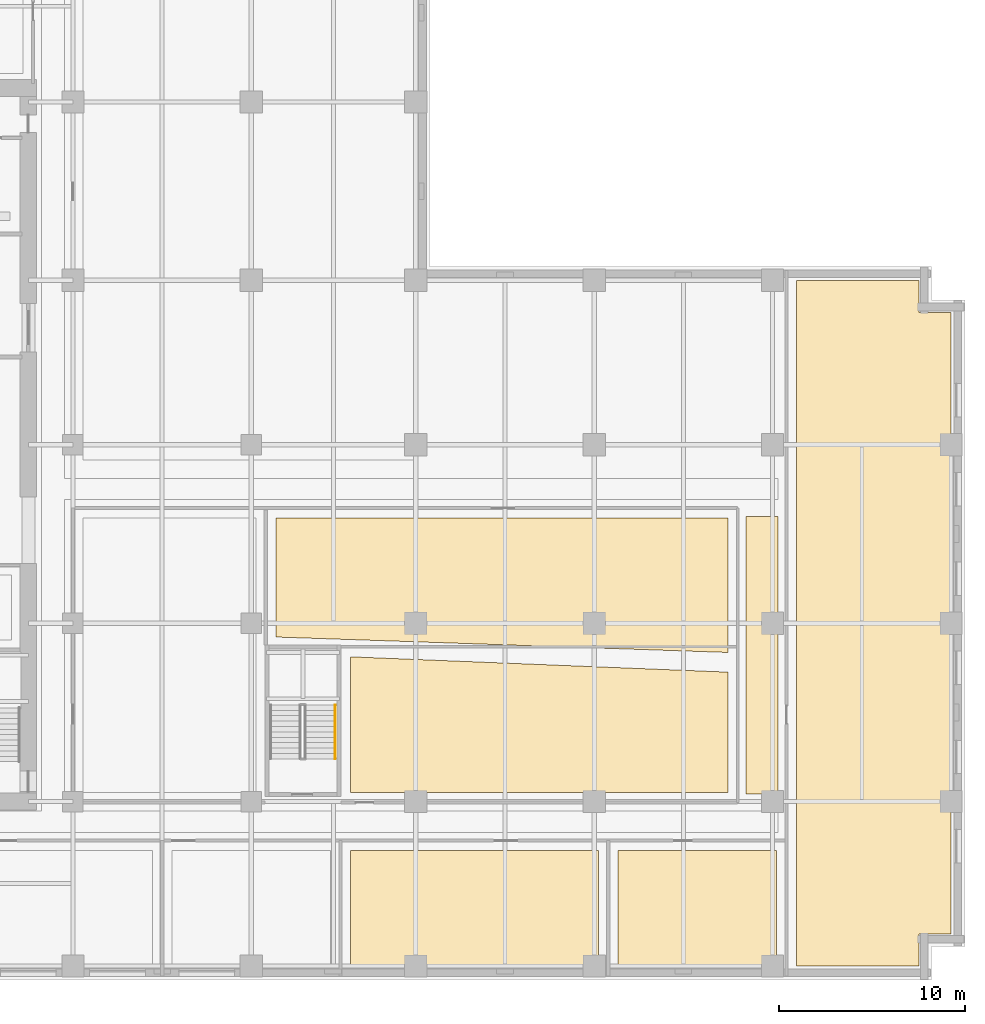
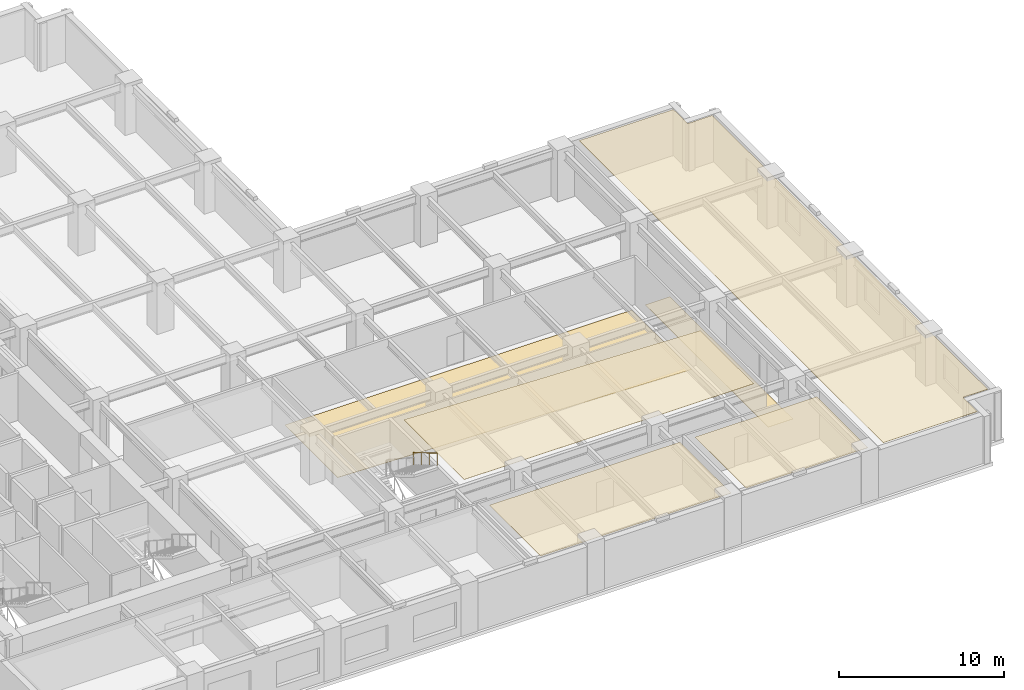
# One storey, part 10 of 13: 6 coverings, 1 railing.
"""IFC4 building model written with IfcOpenShell, lengths in metres."""

import ifcopenshell
import ifcopenshell.guid

model = None  # the IFC model being written
_history = None  # IfcOwnerHistory: only IFC2X3 demands one
_inside = {}  # id of a spatial element -> (the spatial element, [elements in it])
_under = {}  # id of a project, library or spatial element -> (it, [spatial elements below it])
_declared = {}  # id of a project -> (the project, [libraries it declares])
_typed = {}  # id of a type object -> (the type object, [elements of that type])
_made_of = {}  # id of a material, layer set ... -> (it, [elements and type objects made of it])


def new_model(schema):
    """Start an empty IFC model of exactly this schema.

    Asked for "IFC4X3", IfcOpenShell would pick the latest addendum, in which some entities
    have other attributes; the version numbers below select the first issue.
    IFC2X3 requires an IfcOwnerHistory on every rooted entity: one is made here for all.
    """
    global model, _history
    if schema == "IFC4X3":
        model = ifcopenshell.file(schema_version=(4, 3, 0, 0))
    else:
        model = ifcopenshell.file(schema=schema)
    _inside.clear()
    _under.clear()
    _declared.clear()
    _typed.clear()
    _made_of.clear()
    _history = None
    if model.schema == "IFC2X3":
        org = make("IfcOrganization", Name="unknown")
        user = make(
            "IfcPersonAndOrganization",
            ThePerson=make("IfcPerson", FamilyName="unknown"),
            TheOrganization=org,
        )
        app = make(
            "IfcApplication",
            ApplicationDeveloper=org,
            Version="unknown",
            ApplicationFullName="unknown",
            ApplicationIdentifier="unknown",
        )
        _history = make(
            "IfcOwnerHistory",
            OwningUser=user,
            OwningApplication=app,
            ChangeAction="ADDED",
            CreationDate=0,
        )
    return model


def make(cls, **values):
    """One entity of the class cls with the attributes given. An attribute that is None is left unset."""
    return model.create_entity(
        cls, **{name: value for name, value in values.items() if value is not None}
    )


def rooted(cls, **values):
    """An entity with a GlobalId (a new one), such as an element, a storey or a relation."""
    return make(cls, GlobalId=ifcopenshell.guid.new(), OwnerHistory=_history, **values)


def si_unit(unit_type, name, prefix=None):
    """IfcSIUnit, for example si_unit("LENGTHUNIT", "METRE", prefix="MILLI")."""
    return make("IfcSIUnit", UnitType=unit_type, Prefix=prefix, Name=name)


def assignment(units):
    """IfcUnitAssignment: the units of a project."""
    return None if units is None else make("IfcUnitAssignment", Units=units)


def point(xyz):
    """IfcCartesianPoint."""
    return None if xyz is None else make("IfcCartesianPoint", Coordinates=xyz)


def direction(xyz):
    """IfcDirection."""
    return None if xyz is None else make("IfcDirection", DirectionRatios=xyz)


def frame(location, z_axis=None, x_axis=None):
    """IfcAxis2Placement3D, a coordinate frame: its origin and axes. An axis left out is left unset."""
    return make(
        "IfcAxis2Placement3D",
        Location=point(location),
        Axis=direction(z_axis),
        RefDirection=direction(x_axis),
    )


def frame_2d(location, x_axis=None):
    """IfcAxis2Placement2D, a coordinate frame in the plane: its origin and x axis."""
    return make(
        "IfcAxis2Placement2D", Location=point(location), RefDirection=direction(x_axis)
    )


def origin():
    """The frame at (0, 0, 0) with its axes left unset."""
    return frame((0.0, 0.0, 0.0))


def origin_2d():
    """The frame at (0, 0) in the plane with its x axis left unset."""
    return frame_2d((0.0, 0.0))


def place(relative_to, where):
    """IfcLocalPlacement: puts the frame where relative to a parent placement (None: the world)."""
    return make(
        "IfcLocalPlacement", PlacementRelTo=relative_to, RelativePlacement=where
    )


def context(
    kind, dimensions, precision=None, world=None, true_north=None, identifier=None
):
    """IfcGeometricRepresentationContext, for example the 3D "Model" context."""
    return make(
        "IfcGeometricRepresentationContext",
        ContextIdentifier=identifier,
        ContextType=kind,
        CoordinateSpaceDimension=dimensions,
        Precision=precision,
        WorldCoordinateSystem=world,
        TrueNorth=true_north,
    )


def subcontext(parent, identifier, kind, view, scale=None):
    """IfcGeometricRepresentationSubContext, for example "Body" below "Model"."""
    return make(
        "IfcGeometricRepresentationSubContext",
        ContextIdentifier=identifier,
        ContextType=kind,
        ParentContext=parent,
        TargetScale=scale,
        TargetView=view,
    )


def project(units=None, contexts=None):
    """IfcProject with its units and contexts."""
    return rooted(
        "IfcProject",
        Name="project",
        RepresentationContexts=contexts,
        UnitsInContext=assignment(units),
    )


def spatial(cls, under=None, at=None, **own):
    """A site, building, storey or space (cls), placed at a placement, below another one or the project."""
    s = rooted(cls, ObjectPlacement=at, **own)
    if under is not None:
        _under.setdefault(under.id(), (under, []))[1].append(s)
    return s


def polyline(points):
    """IfcPolyline through the points."""
    return make("IfcPolyline", Points=[point(p) for p in points])


def profile(cls, at=None, kind="AREA", **sizes):
    """A parametric profile (cls). Its sizes go by their IFC names, for example OverallWidth=200.0."""
    return make(cls, ProfileType=kind, Position=at, **sizes)


def circle(**sizes):
    """IfcCircleProfileDef."""
    return profile("IfcCircleProfileDef", **sizes)


def outline(outer, holes=None, kind="AREA"):
    """IfcArbitraryClosedProfileDef: a profile drawn as a closed curve; with holes, ...WithVoids."""
    if holes is None:
        return make("IfcArbitraryClosedProfileDef", ProfileType=kind, OuterCurve=outer)
    return make(
        "IfcArbitraryProfileDefWithVoids",
        ProfileType=kind,
        OuterCurve=outer,
        InnerCurves=holes,
    )


def extrude(swept, where, along, depth):
    """IfcExtrudedAreaSolid: the profile swept, set in the frame where, extruded along a direction by depth."""
    return make(
        "IfcExtrudedAreaSolid",
        SweptArea=swept,
        Position=where,
        ExtrudedDirection=direction(along),
        Depth=depth,
    )


def shape(context_of_items, identifier, shape_type, items):
    """IfcShapeRepresentation: the items that make up one representation, for example the "Body"."""
    return make(
        "IfcShapeRepresentation",
        ContextOfItems=context_of_items,
        RepresentationIdentifier=identifier,
        RepresentationType=shape_type,
        Items=items,
    )


def material(Name=None, Category=None):
    """IfcMaterial."""
    return make("IfcMaterial", Name=Name, Category=Category)


def layer(
    of_material, thickness, ventilated=None, Name=None, Category=None, Priority=None
):
    """IfcMaterialLayer: one layer of a wall or slab, of a material (None: an air gap)."""
    return make(
        "IfcMaterialLayer",
        Material=of_material,
        LayerThickness=thickness,
        IsVentilated=ventilated,
        Name=Name,
        Category=Category,
        Priority=Priority,
    )


def layer_set(layers, Name=None):
    """IfcMaterialLayerSet."""
    return make("IfcMaterialLayerSet", MaterialLayers=layers, LayerSetName=Name)


def made_of(thing, what):
    """Note that an element or type object is made of a material, layer set ...; save() writes the relation."""
    if what is not None:
        _made_of.setdefault(what.id(), (what, []))[1].append(thing)
    return thing


def type_object(cls, material=None, **own):
    """A type object (cls), such as IfcWallType, which elements share."""
    return made_of(rooted(cls, **own), material)


def element(
    cls,
    number,
    at=None,
    inside=None,
    cuts=None,
    type_object=None,
    material=None,
    context=None,
    identifier="Body",
    shape_type=None,
    held_by="IfcProductDefinitionShape",
    body=None,
    shapes=None,
    **own,
):
    """One element of the class cls, such as IfcWall. Its Tag is "e" and its number.

    at: its placement. inside: the storey or other place that contains it. cuts: it is an
    opening in that element (IfcRelVoidsElement). A single representation is given by context,
    identifier, shape_type and body (its items); several are given by shapes. held_by: the class
    of the entity that holds the representations. save() writes the other relations.
    """
    e = rooted(cls, Tag="e%d" % number, ObjectPlacement=at, **own)
    if body is not None:
        shapes = [shape(context, identifier, shape_type, body)]
    if shapes is not None:
        e.Representation = make(held_by, Representations=shapes)
    if inside is not None:
        _inside.setdefault(inside.id(), (inside, []))[1].append(e)
    if cuts is not None:
        rooted(
            "IfcRelVoidsElement", RelatingBuildingElement=cuts, RelatedOpeningElement=e
        )
    if type_object is not None:
        _typed.setdefault(type_object.id(), (type_object, []))[1].append(e)
    return made_of(e, material)


def aggregate(whole, parts):
    """IfcRelAggregates: a whole, such as a stair, and the parts it consists of."""
    return rooted("IfcRelAggregates", RelatingObject=whole, RelatedObjects=parts)


def save(model, path):
    """Write the relations noted so far, then the file.

    IfcRelAggregates (storeys below a building ...), IfcRelContainedInSpatialStructure (elements
    in a storey), IfcRelDefinesByType, IfcRelAssociatesMaterial and IfcRelDeclares: one each for
    every whole, place, type object, material and project.
    """
    for whole, parts in _under.values():
        aggregate(whole, parts)
    for where, things in _inside.values():
        rooted(
            "IfcRelContainedInSpatialStructure",
            RelatedElements=things,
            RelatingStructure=where,
        )
    for kind, things in _typed.values():
        rooted("IfcRelDefinesByType", RelatedObjects=things, RelatingType=kind)
    for what, things in _made_of.values():
        rooted("IfcRelAssociatesMaterial", RelatedObjects=things, RelatingMaterial=what)
    for by, libraries in _declared.values():
        rooted("IfcRelDeclares", RelatingContext=by, RelatedDefinitions=libraries)
    model.write(path)


model = new_model("IFC4")

# Units and contexts
model_context = context("Model", 3, precision=1e-05, world=origin(), true_north=direction((0.0, 1.0)))
body_context = subcontext(model_context, "Body", "Model", "MODEL_VIEW")
ifc_project = project(units=[si_unit("LENGTHUNIT", "METRE"), si_unit("AREAUNIT", "SQUARE_METRE"), si_unit("VOLUMEUNIT", "CUBIC_METRE"), si_unit("PLANEANGLEUNIT", "RADIAN"), si_unit("MASSUNIT", "GRAM", prefix="KILO")], contexts=[model_context])

# Site, building, storey
site_placement = place(None, origin())
site = spatial("IfcSite", under=ifc_project, at=site_placement, CompositionType="ELEMENT")
building_placement = place(site_placement, origin())
building = spatial("IfcBuilding", under=site, at=building_placement, Name="Norrvale University Quadrangle", CompositionType="ELEMENT")
storey_placement = place(building_placement, frame((0.0, 0.0, 31.800048828125)))
storey = spatial("IfcBuildingStorey", under=building, at=storey_placement, Name="L07", CompositionType="ELEMENT", Elevation=31.800048828125)

# Coverings
ifc_material_1 = material(Name="Perforated Acoustic Mineral Ceiling")
ifc_layer_1 = layer(ifc_material_1, 0.02490234375, Name="Perforated Acoustic Mineral Ceiling")
ifc_layer_set_1 = layer_set([ifc_layer_1], Name="Perforated Acoustic Mineral Ceiling")
covering_type_1 = type_object("IfcCoveringType", Name="Covering Acoustic Ceiling 25", PredefinedType="CEILING", material=ifc_layer_set_1)
covering_1_placement = place(storey_placement, frame((0.0, 0.0, 3.514892578125)))
element("IfcCovering", 1, at=covering_1_placement, inside=storey, type_object=covering_type_1, Name="Acoustic Ceiling RM-L07-S04", PredefinedType="CEILING", context=body_context, shape_type="SweptSolid", body=[
    extrude(outline(polyline([(34.1298828125, 6.969970703125), (47.469970703125, 6.969970703125), (47.469970703125, 0.75), (34.1298828125, 0.75), (34.1298828125, 6.969970703125)])), origin(), (0.0, 0.0, 1.0), 0.025146484375),
])
covering_2_placement = place(storey_placement, frame((0.0, 0.0, 3.514892578125)))
element("IfcCovering", 2, at=covering_2_placement, inside=storey, type_object=covering_type_1, Name="Acoustic Ceiling RM-L07-S05", PredefinedType="CEILING", context=body_context, shape_type="SweptSolid", body=[
    extrude(outline(polyline([(48.530029296875, 6.969970703125), (57.070068359375, 6.969970703125), (57.070068359375, 0.75), (48.530029296875, 0.75), (48.530029296875, 6.969970703125)])), origin(), (0.0, 0.0, 1.0), 0.025146484375),
])
covering_3_placement = place(storey_placement, frame((0.0, 0.0, 3.514892578125)))
element("IfcCovering", 3, at=covering_3_placement, inside=storey, type_object=covering_type_1, Name="Acoustic Ceiling RM-L07-E01", PredefinedType="CEILING", context=body_context, shape_type="SweptSolid", body=[
    extrude(outline(polyline([(58.1298828125, 0.75), (58.1298828125, 37.64990234375), (64.72998046875, 37.64990234375), (64.72998046875, 35.929931640625), (66.449951171875, 35.929931640625), (66.449951171875, 2.469970703125), (64.72998046875, 2.469970703125), (64.72998046875, 0.75), (58.1298828125, 0.75)])), origin(), (0.0, 0.0, 1.0), 0.025146484375),
])
covering_4_placement = place(storey_placement, frame((0.0, 0.0, 3.514892578125)))
element("IfcCovering", 4, at=covering_4_placement, inside=storey, type_object=covering_type_1, Name="Acoustic Ceiling RM-L07-ISE", PredefinedType="CEILING", context=body_context, shape_type="SweptSolid", body=[
    extrude(outline(polyline([(34.14990234375, 10.080078125), (34.14990234375, 17.39111328125), (54.445068359375, 16.568115234375), (54.445068359375, 10.080078125), (34.14990234375, 10.080078125)])), origin(), (0.0, 0.0, 1.0), 0.025146484375),
])
ifc_material_2 = material(Name="Polished Terrazzo Flooring")
ifc_layer_2 = layer(ifc_material_2, 0.02490234375, Name="Polished Terrazzo Flooring")
ifc_layer_set_2 = layer_set([ifc_layer_2], Name="Polished Terrazzo Flooring")
covering_type_2 = type_object("IfcCoveringType", Name="Covering Terrazzo Floor 30", PredefinedType="FLOORING", material=ifc_layer_set_2)
covering_5_placement = place(storey_placement, origin())
element("IfcCovering", 5, at=covering_5_placement, inside=storey, type_object=covering_type_2, Name="Terrazzo Flooring RM-L07-CORR2", PredefinedType="FLOORING", context=body_context, shape_type="SweptSolid", body=[
    extrude(outline(polyline([(55.425048828125, 10.0), (55.425048828125, 24.949951171875), (57.14990234375, 24.949951171875), (57.14990234375, 10.0), (55.425048828125, 10.0)])), origin(), (0.0, 0.0, 1.0), 0.02490234375),
])
covering_6_placement = place(storey_placement, origin())
element("IfcCovering", 6, at=covering_6_placement, inside=storey, type_object=covering_type_2, Name="Terrazzo Flooring RM-L07-ILH", PredefinedType="FLOORING", context=body_context, shape_type="SweptSolid", body=[
    extrude(outline(polyline([(30.1298828125, 18.455078125), (30.1298828125, 24.8701171875), (54.445068359375, 24.8701171875), (54.445068359375, 17.6259765625), (30.1298828125, 18.455078125)])), origin(), (0.0, 0.0, 1.0), 0.02490234375),
])

# Railing
ifc_material_3 = material(Name="Stainless Steel 316L Handrail", Category="steel")
railing_type = type_object("IfcRailingType", Name="Railing Stair Handrail 920", PredefinedType="HANDRAIL", material=ifc_material_3)
railing_placement = place(storey_placement, frame((33.31005859375, 14.800048828125, 2.07275390625)))
element("IfcRailing", 7, at=railing_placement, inside=storey, type_object=railing_type, Name="Stair Upper Flight Handrail ST-04 L07", PredefinedType="HANDRAIL", context=body_context, shape_type="SweptSolid", body=[
    extrude(circle(Radius=0.02392578125, at=origin_2d()), frame((0.0, 0.0, 0.89599609375), z_axis=(0.0, -0.859160404282, 0.51170636083), x_axis=(1.0, 0.0, 0.0)), (0.0, 0.0, 1.0), 3.37548828125),
    extrude(circle(Radius=0.02099609375, at=origin_2d()), origin(), (0.0, 0.0, 1.0), 0.871826171875),
    extrude(circle(Radius=0.02099609375, at=origin_2d()), frame((0.0, -0.966796875, 0.57568359375)), (0.0, 0.0, 1.0), 0.871826171875),
    extrude(circle(Radius=0.02099609375, at=origin_2d()), frame((0.0, -1.933349609375, 1.151611328125)), (0.0, 0.0, 1.0), 0.871826171875),
    extrude(circle(Radius=0.02099609375, at=origin_2d()), frame((0.0, -2.900146484375, 1.727294921875)), (0.0, 0.0, 1.0), 0.871826171875),
])

save(model, "model.ifc")
